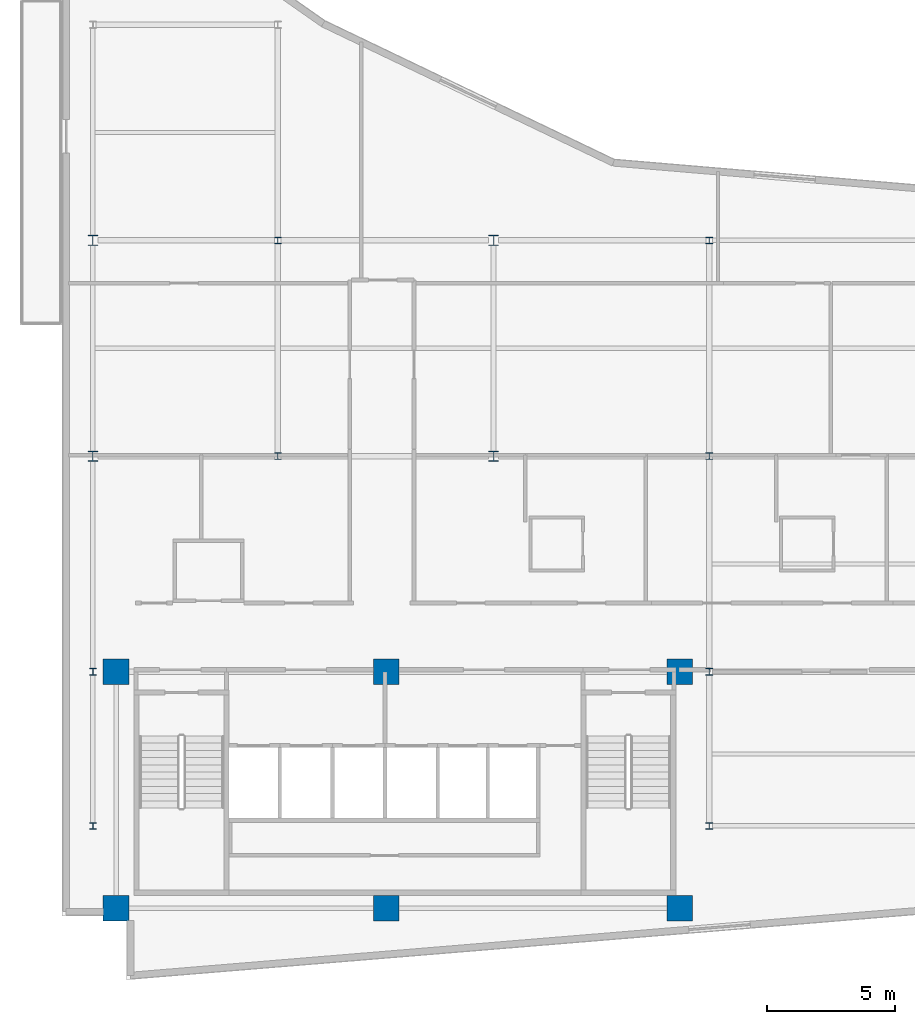
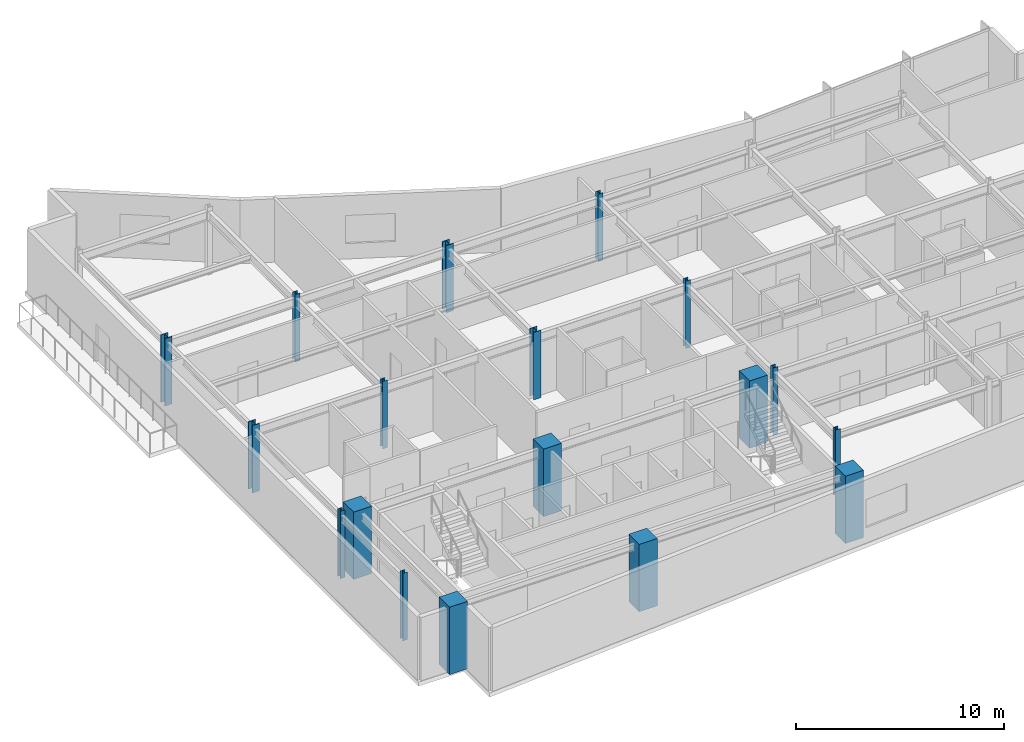
# One storey, part 1 of 17: 18 columns.
"""IFC4 building model written with IfcOpenShell, lengths in metres."""

from ifc_helpers import new_model, si_unit, direction, frame, origin, origin_2d, place, context, subcontext, project, spatial, rectangle, i_section, extrude, material, material_profile, profile_set, type_object, element, save


model = new_model("IFC4")

# Units and contexts
model_context = context("Model", 3, precision=1e-05, world=origin(), true_north=direction((0.0, 1.0)))
body_context = subcontext(model_context, "Body", "Model", "MODEL_VIEW")
ifc_project = project(units=[si_unit("LENGTHUNIT", "METRE"), si_unit("AREAUNIT", "SQUARE_METRE"), si_unit("VOLUMEUNIT", "CUBIC_METRE"), si_unit("PLANEANGLEUNIT", "RADIAN"), si_unit("MASSUNIT", "GRAM", prefix="KILO")], contexts=[model_context])

# Site, building, storey
site_placement = place(None, origin())
site = spatial("IfcSite", under=ifc_project, at=site_placement, CompositionType="ELEMENT")
building_placement = place(site_placement, origin())
building = spatial("IfcBuilding", under=site, at=building_placement, Name="Varnakote Quay Hospital", CompositionType="ELEMENT")
storey_placement = place(building_placement, frame((0.0, 0.0, 184.199951171875)))
storey = spatial("IfcBuildingStorey", under=building, at=storey_placement, Name="L45", CompositionType="ELEMENT", Elevation=184.199951171875)

# Columns
ifc_material_1 = material(Name="Concrete N65 (f'c 65 MPa)", Category="concrete")
ifc_material_profile_1 = material_profile(ifc_material_1, rectangle(XDim=1.0, YDim=1.0, at=origin_2d()), Name="RC-COL-1000x1000")
ifc_profile_set_1 = profile_set([ifc_material_profile_1], Name="Concrete N65 (f'c 65 MPa)")
column_type_1 = type_object("IfcColumnType", Name="COL-RC-1000", PredefinedType="COLUMN", material=ifc_profile_set_1)
for number, where, z_axis, x_axis, name in (
    (1, (2.10009765625, 2.800048828125, 0.0), (0.0, 0.0, 1.0), (1.0, 0.0, 0.0), "L45 Structural Column C-2-3"),
    (2, (12.6201171875, 2.800048828125, 0.0), (0.0, 0.0, 1.0), (1.0, 0.0, 0.0), "L45 Structural Column C-13-3"),
    (3, (24.050048828125, 2.800048828125, 0.0), (0.0, 0.0, 1.0), (1.0, 0.0, 0.0), "L45 Structural Column C-24-3"),
    (4, (2.10009765625, 12.0, 0.0), (0.0, 0.0, 1.0), (1.0, 0.0, 0.0), "L45 Structural Column C-2-12"),
    (5, (12.6201171875, 12.0, 0.0), (0.0, 0.0, 1.0), (1.0, 0.0, 0.0), "L45 Structural Column C-13-12"),
    (6, (24.050048828125, 12.0, 0.0), (0.0, 0.0, 1.0), (1.0, 0.0, 0.0), "L45 Structural Column C-24-12"),
):
    element("IfcColumn", number, at=place(storey_placement, frame(where, z_axis=z_axis, x_axis=x_axis)), inside=storey, type_object=column_type_1, Name=name, PredefinedType="COLUMN", context=body_context, shape_type="SweptSolid", body=[
        extrude(rectangle(XDim=1.0, YDim=1.0, at=origin_2d()), origin(), (0.0, 0.0, 1.0), 3.949951171875),
    ])
ifc_material_2 = material(Name="Structural steel AS/NZS 3679.1 Grade 350 L0 (fy 340 MPa)", Category="steel")
ifc_material_profile_2 = material_profile(ifc_material_2, i_section(OverallWidth=0.256103515625, OverallDepth=0.260009765625, WebThickness=0.010498046875, FlangeThickness=0.017333984375, FilletRadius=0.0126953125, at=origin_2d()), Name="250UC89.5")
ifc_profile_set_2 = profile_set([ifc_material_profile_2], Name="Structural steel AS/NZS 3679.1 Grade 350 L0 (fy 340 MPa)")
column_type_2 = type_object("IfcColumnType", Name="COL-STL-250UC89-5", PredefinedType="COLUMN", material=ifc_profile_set_2)
for number, where, z_axis, x_axis, name in (
    (7, (1.199951171875, 6.0, 0.0), (0.0, 0.0, 1.0), (1.0, 0.0, 0.0), "L45 Structural Column C-1-6"),
    (8, (25.199951171875, 6.0, 0.0), (0.0, 0.0, 1.0), (1.0, 0.0, 0.0), "L45 Structural Column C-25-6"),
    (9, (1.199951171875, 12.0, 0.0), (0.0, 0.0, 1.0), (1.0, 0.0, 0.0), "L45 Structural Column C-1-12"),
    (10, (25.199951171875, 12.0, 0.0), (0.0, 0.0, 1.0), (1.0, 0.0, 0.0), "L45 Structural Column C-25-12"),
    (11, (8.39990234375, 20.39990234375, 0.0), (0.0, 0.0, 1.0), (1.0, 0.0, 0.0), "L45 Structural Column C-8-20"),
    (12, (25.199951171875, 20.39990234375, 0.0), (0.0, 0.0, 1.0), (1.0, 0.0, 0.0), "L45 Structural Column C-25-20"),
    (13, (8.39990234375, 28.800048828125, 0.0), (0.0, 0.0, 1.0), (1.0, 0.0, 0.0), "L45 Structural Column C-8-29"),
    (14, (25.199951171875, 28.800048828125, 0.0), (0.0, 0.0, 1.0), (1.0, 0.0, 0.0), "L45 Structural Column C-25-29"),
):
    element("IfcColumn", number, at=place(storey_placement, frame(where, z_axis=z_axis, x_axis=x_axis)), inside=storey, type_object=column_type_2, Name=name, PredefinedType="COLUMN", context=body_context, shape_type="SweptSolid", body=[
        extrude(i_section(OverallWidth=0.256103515625, OverallDepth=0.260009765625, WebThickness=0.010498046875, FlangeThickness=0.017333984375, FilletRadius=0.0126953125, at=origin_2d()), origin(), (0.0, 0.0, 1.0), 3.949951171875),
    ])
ifc_material_3 = material(Name="Structural steel AS/NZS 3678 Grade 350 (fy 340 MPa)", Category="steel")
ifc_material_profile_3 = material_profile(ifc_material_3, i_section(OverallWidth=0.39990234375, OverallDepth=0.404052734375, WebThickness=0.02001953125, FlangeThickness=0.031982421875, at=origin_2d()), Name="400WC270")
ifc_profile_set_3 = profile_set([ifc_material_profile_3], Name="Structural steel AS/NZS 3678 Grade 350 (fy 340 MPa)")
column_type_3 = type_object("IfcColumnType", Name="COL-STL-400WC270", PredefinedType="COLUMN", material=ifc_profile_set_3)
for number, where, z_axis, x_axis, name in (
    (15, (1.199951171875, 20.39990234375, 0.0), (0.0, 0.0, 1.0), (1.0, 0.0, 0.0), "L45 Structural Column C-1-20"),
    (16, (16.800048828125, 20.39990234375, 0.0), (0.0, 0.0, 1.0), (1.0, 0.0, 0.0), "L45 Structural Column C-17-20"),
    (17, (1.199951171875, 28.800048828125, 0.0), (0.0, 0.0, 1.0), (1.0, 0.0, 0.0), "L45 Structural Column C-1-29"),
    (18, (16.800048828125, 28.800048828125, 0.0), (0.0, 0.0, 1.0), (1.0, 0.0, 0.0), "L45 Structural Column C-17-29"),
):
    element("IfcColumn", number, at=place(storey_placement, frame(where, z_axis=z_axis, x_axis=x_axis)), inside=storey, type_object=column_type_3, Name=name, PredefinedType="COLUMN", context=body_context, shape_type="SweptSolid", body=[
        extrude(i_section(OverallWidth=0.39990234375, OverallDepth=0.404052734375, WebThickness=0.02001953125, FlangeThickness=0.031982421875, at=origin_2d()), origin(), (0.0, 0.0, 1.0), 3.949951171875),
    ])

save(model, "model.ifc")
